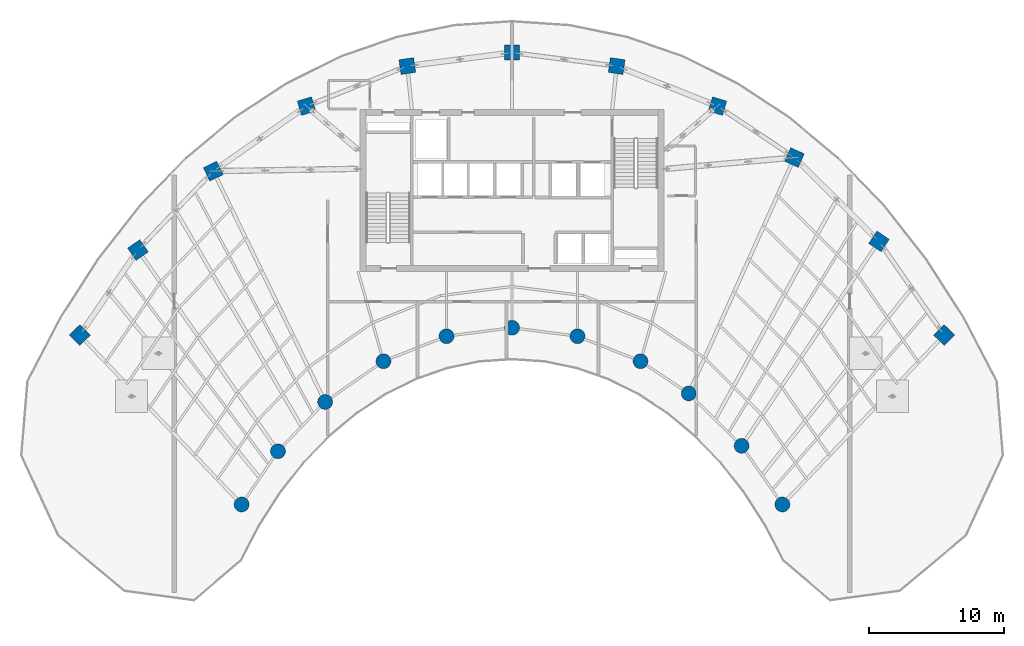
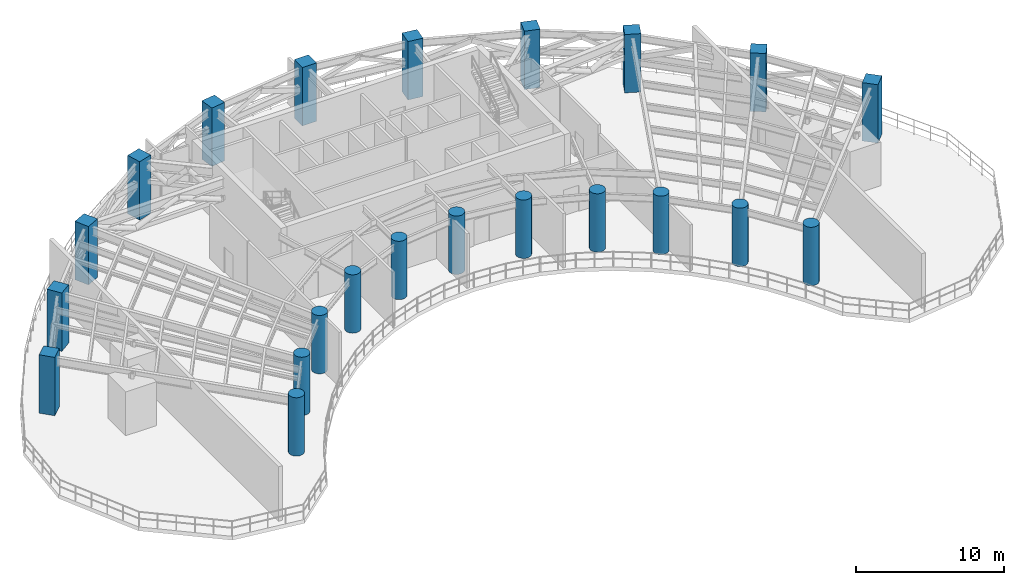
# One storey, part 1 of 24: 22 columns.
"""IFC4 building model written with IfcOpenShell, lengths in metres."""

from ifc_helpers import new_model, si_unit, direction, frame, origin, origin_2d, place, context, subcontext, project, spatial, rectangle, circle, extrude, source, transform, mapped, material, material_profile, profile_set, type_object, element, save


model = new_model("IFC4")

# Units and contexts
model_context = context("Model", 3, precision=1e-05, world=origin(), true_north=direction((0.0, 1.0)))
body_context = subcontext(model_context, "Body", "Model", "MODEL_VIEW")
ifc_project = project(units=[si_unit("LENGTHUNIT", "METRE"), si_unit("AREAUNIT", "SQUARE_METRE"), si_unit("VOLUMEUNIT", "CUBIC_METRE"), si_unit("PLANEANGLEUNIT", "RADIAN"), si_unit("MASSUNIT", "GRAM", prefix="KILO")], contexts=[model_context])

# Site, building, storey
site_placement = place(None, origin())
site = spatial("IfcSite", under=ifc_project, at=site_placement, CompositionType="ELEMENT")
building_placement = place(site_placement, origin())
building = spatial("IfcBuilding", under=site, at=building_placement, Name="Breltana Convention Tower", CompositionType="ELEMENT")
storey_placement = place(building_placement, frame((0.0, 0.0, 189.60009765625)))
storey = spatial("IfcBuildingStorey", under=building, at=storey_placement, Name="L46", CompositionType="ELEMENT", Elevation=189.60009765625)

# Columns
ifc_material_1 = material(Name="Concrete C50/60", Category="concrete")
ifc_material_profile_1 = material_profile(ifc_material_1, circle(Radius=0.550048828125, at=origin_2d()), Name="RC-COL-D1100")
ifc_profile_set_1 = profile_set([ifc_material_profile_1], Name="Concrete C50/60")
column_type_1 = type_object("IfcColumnType", Name="COL-RC-D1100", PredefinedType="COLUMN", material=ifc_profile_set_1)
shared_shape_1 = source(origin(), body_context, "Body", "SweptSolid", [
    extrude(circle(Radius=0.550048828125, at=origin_2d()), origin(), (0.0, 0.0, 1.0), 4.7998046875),
])
for number, where, z_axis, x_axis, name in (
    (1, (27.984619140625, 42.95458984375, 0.0), (0.0, 0.0, 1.0), (-0.690756218984, 0.723087716626, 0.0), "L46 Tower Column R01-IN"),
    (2, (30.67724609375, 46.892333984375, 0.0), (0.0, 0.0, 1.0), (-0.571143442153, 0.820850271661, 0.0), "L46 Tower Column R02-IN"),
    (3, (34.166259765625, 50.544921875, 0.0), (0.0, 0.0, 1.0), (-0.436173672171, 0.899862504889, 0.0), "L46 Tower Column R03-IN"),
    (4, (38.485107421875, 53.5576171875, 0.0), (0.0, 0.0, 1.0), (-0.288697611798, 0.957420330337, 0.0), "L46 Tower Column R04-IN"),
    (5, (43.153564453125, 55.41064453125, 0.0), (0.0, 0.0, 1.0), (-0.143492621991, 0.98965138682, 0.0), "L46 Tower Column R05-IN"),
    (6, (48.0, 56.035888671875, 0.0), (0.0, 0.0, 1.0), (0.0, 1.0, 0.0), "L46 Tower Column R06-IN"),
    (7, (52.846435546875, 55.41064453125, 0.0), (0.0, 0.0, 1.0), (0.143492621991, 0.98965138682, 0.0), "L46 Tower Column R07-IN"),
    (8, (57.514892578125, 53.5576171875, 0.0), (0.0, 0.0, 1.0), (0.288697611798, 0.957420330337, 0.0), "L46 Tower Column R08-IN"),
    (9, (61.08203125, 51.174560546875, 0.0), (0.0, 0.0, 1.0), (0.409126902895, 0.912477494148, 0.0), "L46 Tower Column R09-IN"),
    (10, (64.995849609375, 47.293701171875, 0.0), (0.0, 0.0, 1.0), (0.55774510898, 0.830012285095, 0.0), "L46 Tower Column R10-IN"),
    (11, (68.015380859375, 42.95458984375, 0.0), (0.0, 0.0, 1.0), (0.690756218984, 0.723087716626, 0.0), "L46 Tower Column R11-IN"),
):
    element("IfcColumn", number, at=place(storey_placement, frame(where, z_axis=z_axis, x_axis=x_axis)), inside=storey, type_object=column_type_1, Name=name, PredefinedType="COLUMN", context=body_context, shape_type="MappedRepresentation", body=[
        mapped(shared_shape_1, transform((0.0, 0.0, 0.0), scale=1.0)),
    ])
ifc_material_2 = material(Name="Concrete C60/75", Category="concrete")
ifc_material_profile_2 = material_profile(ifc_material_2, rectangle(XDim=1.10009765625, YDim=1.10009765625, at=origin_2d()), Name="RC-COL-1100X1100")
ifc_profile_set_2 = profile_set([ifc_material_profile_2], Name="Concrete C60/75")
column_type_2 = type_object("IfcColumnType", Name="COL-RC-1100", PredefinedType="COLUMN", material=ifc_profile_set_2)
shared_shape_2 = source(origin(), body_context, "Body", "SweptSolid", [
    extrude(rectangle(XDim=1.10009765625, YDim=1.10009765625, at=origin_2d()), origin(), (0.0, 0.0, 1.0), 4.7998046875),
])
for number, where, z_axis, x_axis, name in (
    (12, (16.0068359375, 55.494384765625, 0.0), (0.0, 0.0, 1.0), (-0.690756218984, 0.723087716626, 0.0), "L46 Tower Column R01-OUT"),
    (13, (20.310791015625, 61.78857421875, 0.0), (0.0, 0.0, 1.0), (-0.571143442153, 0.820850271661, 0.0), "L46 Tower Column R02-OUT"),
    (14, (25.8876953125, 67.626953125, 0.0), (0.0, 0.0, 1.0), (-0.436173672171, 0.899862504889, 0.0), "L46 Tower Column R03-OUT"),
    (15, (32.791015625, 72.4423828125, 0.0), (0.0, 0.0, 1.0), (-0.288697611798, 0.957420330337, 0.0), "L46 Tower Column R04-OUT"),
    (16, (40.253173828125, 75.404296875, 0.0), (0.0, 0.0, 1.0), (-0.143492621991, 0.98965138682, 0.0), "L46 Tower Column R05-OUT"),
    (17, (48.0, 76.404052734375, 0.0), (0.0, 0.0, 1.0), (0.0, 1.0, 0.0), "L46 Tower Column R06-OUT"),
    (18, (55.746826171875, 75.404296875, 0.0), (0.0, 0.0, 1.0), (0.143492621991, 0.98965138682, 0.0), "L46 Tower Column R07-OUT"),
    (19, (63.208984375, 72.4423828125, 0.0), (0.0, 0.0, 1.0), (0.288697611798, 0.957420330337, 0.0), "L46 Tower Column R08-OUT"),
    (20, (68.910400390625, 68.63330078125, 0.0), (0.0, 0.0, 1.0), (0.409126902895, 0.912477494148, 0.0), "L46 Tower Column R09-OUT"),
    (21, (75.166748046875, 62.43017578125, 0.0), (0.0, 0.0, 1.0), (0.55774510898, 0.830012285095, 0.0), "L46 Tower Column R10-OUT"),
    (22, (79.9931640625, 55.494384765625, 0.0), (0.0, 0.0, 1.0), (0.690756218984, 0.723087716626, 0.0), "L46 Tower Column R11-OUT"),
):
    element("IfcColumn", number, at=place(storey_placement, frame(where, z_axis=z_axis, x_axis=x_axis)), inside=storey, type_object=column_type_2, Name=name, PredefinedType="COLUMN", context=body_context, shape_type="MappedRepresentation", body=[
        mapped(shared_shape_2, transform((0.0, 0.0, 0.0), scale=1.0)),
    ])

save(model, "model.ifc")
